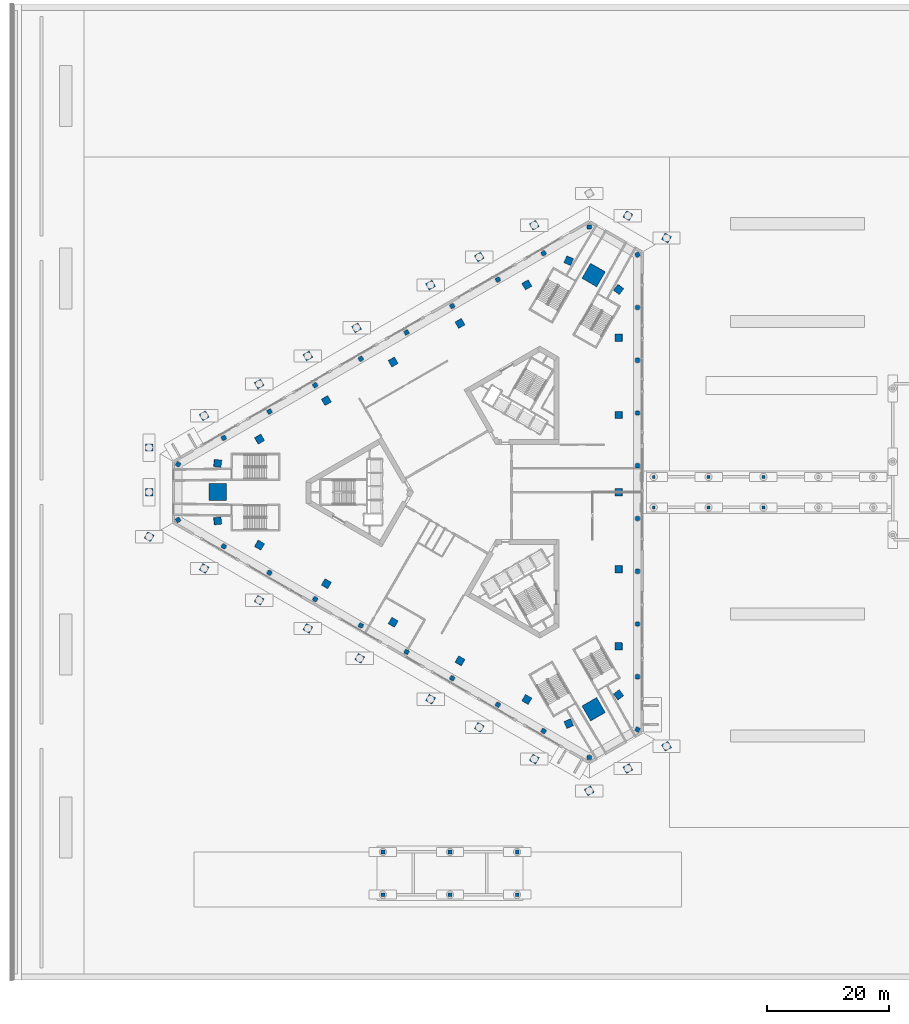
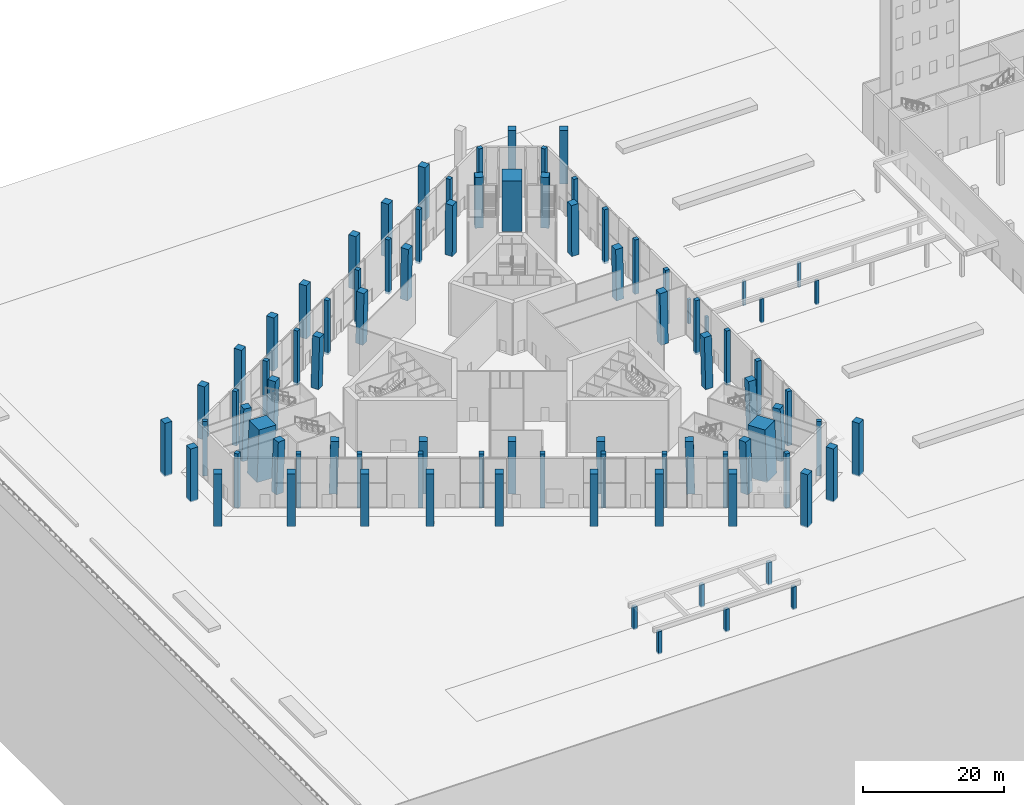
# One storey, part 5 of 63: 88 columns.
"""IFC4 building model written with IfcOpenShell, lengths in metres."""

from ifc_helpers import new_model, si_unit, direction, frame, origin, origin_2d, place, context, subcontext, project, spatial, rectangle, extrude, material, material_profile, profile_set, type_object, element, save


model = new_model("IFC4")

# Units and contexts
model_context = context("Model", 3, precision=1e-05, world=origin(), true_north=direction((0.0, 1.0)))
body_context = subcontext(model_context, "Body", "Model", "MODEL_VIEW")
ifc_project = project(units=[si_unit("LENGTHUNIT", "METRE"), si_unit("AREAUNIT", "SQUARE_METRE"), si_unit("VOLUMEUNIT", "CUBIC_METRE"), si_unit("PLANEANGLEUNIT", "RADIAN"), si_unit("MASSUNIT", "GRAM", prefix="KILO")], contexts=[model_context])

# Site, building, storey
site_placement = place(None, origin())
site = spatial("IfcSite", under=ifc_project, at=site_placement, CompositionType="ELEMENT")
building_placement = place(site_placement, origin())
building = spatial("IfcBuilding", under=site, at=building_placement, Name="Jabali Bay Hotel Tower and Convention Centre", CompositionType="ELEMENT")
storey_placement = place(building_placement, origin())
storey = spatial("IfcBuildingStorey", under=building, at=storey_placement, Name="L00", CompositionType="ELEMENT", Elevation=0.0)

# Columns
ifc_material_1 = material(Name="Concrete C50", Category="concrete")
ifc_material_profile_1 = material_profile(ifc_material_1, rectangle(XDim=1.199951171875, YDim=1.199951171875, at=origin_2d()), Name="RC 1200x1200")
ifc_profile_set_1 = profile_set([ifc_material_profile_1], Name="Concrete C50")
column_type_1 = type_object("IfcColumnType", Name="Arcade Pier 1200x1200", PredefinedType="COLUMN", material=ifc_profile_set_1)
for number, where, z_axis, x_axis, name in (
    (1, (107.5, 121.6728515625, -0.199951171875), (0.0, 0.0, 1.0), (-0.866025403784, 0.5, 0.0), "Arcade pier 1"),
    (2, (22.66015625, 87.309326171875, -0.199951171875), (0.0, 0.0, 1.0), (0.0, -1.0, 0.0), "Arcade pier 3"),
    (3, (22.66015625, 72.690673828125, -0.199951171875), (0.0, 0.0, 1.0), (0.866025403784, -0.5, 0.0), "Arcade pier 4"),
    (4, (94.83984375, 31.017822265625, -0.199951171875), (0.0, 0.0, 1.0), (0.866025403784, 0.5, 0.0), "Arcade pier 5"),
    (5, (107.5, 38.3271484375, -0.199951171875), (0.0, 0.0, 1.0), (0.866025403784, 0.5, 0.0), "Arcade pier 6"),
    (6, (101.169921875, 125.32763671875, -0.199951171875), (0.0, 0.0, 1.0), (-0.866025403784, 0.5, 0.0), "Arcade pier 7"),
    (7, (85.8173828125, 123.773193359375, -0.199951171875), (0.0, 0.0, 1.0), (-0.866025403784, -0.5, 0.0), "Arcade pier 8"),
    (8, (76.794921875, 118.56396484375, -0.199951171875), (0.0, 0.0, 1.0), (-0.866025403784, -0.5, 0.0), "Arcade pier 9"),
    (9, (68.811767578125, 113.954833984375, -0.199951171875), (0.0, 0.0, 1.0), (-0.866025403784, -0.5, 0.0), "Arcade pier 10"),
    (10, (56.671630859375, 106.94580078125, -0.199951171875), (0.0, 0.0, 1.0), (-0.866025403784, -0.5, 0.0), "Arcade pier 11"),
    (11, (48.688232421875, 102.336669921875, -0.199951171875), (0.0, 0.0, 1.0), (-0.866025403784, -0.5, 0.0), "Arcade pier 12"),
    (12, (40.705078125, 97.7275390625, -0.199951171875), (0.0, 0.0, 1.0), (-0.866025403784, -0.5, 0.0), "Arcade pier 13"),
    (13, (31.6826171875, 92.5185546875, -0.199951171875), (0.0, 0.0, 1.0), (-0.866025403784, -0.5, 0.0), "Arcade pier 14"),
    (14, (22.66015625, 80.0, -0.199951171875), (0.0, 0.0, 1.0), (0.0, -1.0, 0.0), "Arcade pier 15"),
    (15, (31.6826171875, 67.4814453125, -0.199951171875), (0.0, 0.0, 1.0), (0.866025403784, -0.5, 0.0), "Arcade pier 16"),
    (16, (40.705078125, 62.2724609375, -0.199951171875), (0.0, 0.0, 1.0), (0.866025403784, -0.5, 0.0), "Arcade pier 17"),
    (17, (48.688232421875, 57.663330078125, -0.199951171875), (0.0, 0.0, 1.0), (0.866025403784, -0.5, 0.0), "Arcade pier 18"),
    (18, (57.191162109375, 52.754150390625, -0.199951171875), (0.0, 0.0, 1.0), (0.866025403784, -0.5, 0.0), "Arcade pier 19"),
    (19, (68.811767578125, 46.045166015625, -0.199951171875), (0.0, 0.0, 1.0), (0.866025403784, -0.5, 0.0), "Arcade pier 20"),
    (20, (76.794921875, 41.43603515625, -0.199951171875), (0.0, 0.0, 1.0), (0.866025403784, -0.5, 0.0), "Arcade pier 21"),
    (21, (85.8173828125, 36.226806640625, -0.199951171875), (0.0, 0.0, 1.0), (0.866025403784, -0.5, 0.0), "Arcade pier 22"),
    (22, (101.169921875, 34.67236328125, -0.199951171875), (0.0, 0.0, 1.0), (0.866025403784, 0.5, 0.0), "Arcade pier 23"),
):
    element("IfcColumn", number, at=place(storey_placement, frame(where, z_axis=z_axis, x_axis=x_axis)), inside=storey, type_object=column_type_1, Name=name, PredefinedType="COLUMN", context=body_context, shape_type="SweptSolid", body=[
        extrude(rectangle(XDim=1.199951171875, YDim=1.199951171875, at=origin_2d()), origin(), (0.0, 0.0, 1.0), 9.199951171875),
    ])
ifc_material_2 = material(Name="Concrete C60", Category="concrete")
ifc_material_profile_2 = material_profile(ifc_material_2, rectangle(XDim=1.199951171875, YDim=1.199951171875, at=origin_2d()), Name="Frame column 1200")
ifc_profile_set_2 = profile_set([ifc_material_profile_2], Name="Concrete C60")
column_type_2 = type_object("IfcColumnType", Name="Frame column 1200", PredefinedType="COLUMN", material=ifc_profile_set_2)
column_1_placement = place(storey_placement, frame((84.599853515625, 114.012451171875, 0.0), z_axis=(-0.008378546441, -0.028145408434, 0.999568724973), x_axis=(0.865970380974, 0.49964031397, 0.021327351715)))
element("IfcColumn", 23, at=column_1_placement, inside=storey, type_object=column_type_2, Name="FC1 F1.1 L00", PredefinedType="COLUMN", context=body_context, shape_type="SweptSolid", body=[
    extrude(rectangle(XDim=1.199951171875, YDim=1.199951171875, at=origin_2d()), origin(), (0.0, 0.0, 1.0), 9.00390625),
])
column_2_placement = place(storey_placement, frame((73.635986328125, 107.682373046875, 0.0), z_axis=(0.000867829423, -0.022807642022, 0.999739495237), x_axis=(0.865819686858, 0.500242559495, 0.010660746597)))
element("IfcColumn", 24, at=column_2_placement, inside=storey, type_object=column_type_2, Name="FC1 F1.2 L00", PredefinedType="COLUMN", context=body_context, shape_type="SweptSolid", body=[
    extrude(rectangle(XDim=1.199951171875, YDim=1.199951171875, at=origin_2d()), origin(), (0.0, 0.0, 1.0), 9.00244140625),
])
column_3_placement = place(storey_placement, frame((62.672119140625, 101.3525390625, 0.0), z_axis=(0.010089088034, -0.017493176833, 0.999796078742), x_axis=(0.866252402262, 0.499606620828, 1.0221e-08)))
element("IfcColumn", 25, at=column_3_placement, inside=storey, type_object=column_type_2, Name="FC1 F1.3 L00", PredefinedType="COLUMN", context=body_context, shape_type="SweptSolid", body=[
    extrude(rectangle(XDim=1.199951171875, YDim=1.199951171875, at=origin_2d()), origin(), (0.0, 0.0, 1.0), 9.001953125),
])
column_4_placement = place(storey_placement, frame((51.708251953125, 95.0224609375, 0.0), z_axis=(0.019336318869, -0.01214960849, 0.999739212888), x_axis=(-0.499995193111, 0.865792743586, 0.020192375266)))
element("IfcColumn", 26, at=column_4_placement, inside=storey, type_object=column_type_2, Name="FC1 F1.4 L00", PredefinedType="COLUMN", context=body_context, shape_type="SweptSolid", body=[
    extrude(rectangle(XDim=1.199951171875, YDim=1.199951171875, at=origin_2d()), origin(), (0.0, 0.0, 1.0), 9.00244140625),
])
for number, where, z_axis, x_axis, name in (
    (27, (40.744384765625, 88.6923828125, 0.0), (0.028552145693, -0.006805877083, 0.999569134684), (-0.500004012737, 0.865788001007, 0.020177327845), "FC1 F1.5 L00"),
    (28, (40.744384765625, 71.3076171875, 0.0), (0.028552145693, 0.006805877083, 0.999569134684), (-0.8655522874, 0.500364684355, 0.021317139292), "FC1 F2.1 L00"),
):
    element("IfcColumn", number, at=place(storey_placement, frame(where, z_axis=z_axis, x_axis=x_axis)), inside=storey, type_object=column_type_2, Name=name, PredefinedType="COLUMN", context=body_context, shape_type="SweptSolid", body=[
        extrude(rectangle(XDim=1.199951171875, YDim=1.199951171875, at=origin_2d()), origin(), (0.0, 0.0, 1.0), 9.00390625),
    ])
column_5_placement = place(storey_placement, frame((51.708251953125, 64.9775390625, 0.0), z_axis=(0.019336318869, 0.01214960849, 0.999739212888), x_axis=(-0.865812285451, 0.500255247016, 0.010666498721)))
element("IfcColumn", 29, at=column_5_placement, inside=storey, type_object=column_type_2, Name="FC1 F2.2 L00", PredefinedType="COLUMN", context=body_context, shape_type="SweptSolid", body=[
    extrude(rectangle(XDim=1.199951171875, YDim=1.199951171875, at=origin_2d()), origin(), (0.0, 0.0, 1.0), 9.00244140625),
])
column_6_placement = place(storey_placement, frame((62.672119140625, 58.6474609375, 0.0), z_axis=(0.010089088034, 0.017493176833, 0.999796078742), x_axis=(-0.499504740596, -0.866075754879, 0.020194081635)))
element("IfcColumn", 30, at=column_6_placement, inside=storey, type_object=column_type_2, Name="FC1 F2.3 L00", PredefinedType="COLUMN", context=body_context, shape_type="SweptSolid", body=[
    extrude(rectangle(XDim=1.199951171875, YDim=1.199951171875, at=origin_2d()), origin(), (0.0, 0.0, 1.0), 9.001953125),
])
column_7_placement = place(storey_placement, frame((73.635986328125, 52.317626953125, 0.0), z_axis=(0.000867829423, 0.022807642022, 0.999739495237), x_axis=(-0.500355390418, -0.865584884997, 0.020181430685)))
element("IfcColumn", 31, at=column_7_placement, inside=storey, type_object=column_type_2, Name="FC1 F2.4 L00", PredefinedType="COLUMN", context=body_context, shape_type="SweptSolid", body=[
    extrude(rectangle(XDim=1.199951171875, YDim=1.199951171875, at=origin_2d()), origin(), (0.0, 0.0, 1.0), 9.00244140625),
])
for number, where, z_axis, x_axis, name in (
    (32, (84.599853515625, 45.987548828125, 0.0), (-0.008378546441, 0.028145408434, 0.999568724973), (-0.500025098605, -0.865775601782, 0.02018683049), "FC1 F2.5 L00"),
    (33, (99.65576171875, 54.679931640625, 0.0), (-0.020200691676, 0.021339522617, 0.999568185183), (-0.000159651046, -0.999772249592, 0.02134065268), "FC1 F0.1 L00"),
):
    element("IfcColumn", number, at=place(storey_placement, frame(where, z_axis=z_axis, x_axis=x_axis)), inside=storey, type_object=column_type_2, Name=name, PredefinedType="COLUMN", context=body_context, shape_type="SweptSolid", body=[
        extrude(rectangle(XDim=1.199951171875, YDim=1.199951171875, at=origin_2d()), origin(), (0.0, 0.0, 1.0), 9.00390625),
    ])
column_8_placement = place(storey_placement, frame((99.65576171875, 67.340087890625, 0.0), z_axis=(-0.020204145068, 0.010658025519, 0.999739065464), x_axis=(0.000461215019, -0.999942972683, 0.010669520222)))
element("IfcColumn", 34, at=column_8_placement, inside=storey, type_object=column_type_2, Name="FC1 F0.2 L00", PredefinedType="COLUMN", context=body_context, shape_type="SweptSolid", body=[
    extrude(rectangle(XDim=1.199951171875, YDim=1.199951171875, at=origin_2d()), origin(), (0.0, 0.0, 1.0), 9.00244140625),
])
column_9_placement = place(storey_placement, frame((99.65576171875, 80.0, 0.0), z_axis=(-0.020205292695, 0.0, 0.999795852235), x_axis=(0.0, -1.0, 0.0)))
element("IfcColumn", 35, at=column_9_placement, inside=storey, type_object=column_type_2, Name="FC1 F0.3 L00", PredefinedType="COLUMN", context=body_context, shape_type="SweptSolid", body=[
    extrude(rectangle(XDim=1.199951171875, YDim=1.199951171875, at=origin_2d()), origin(), (0.0, 0.0, 1.0), 9.001953125),
])
column_10_placement = place(storey_placement, frame((99.65576171875, 92.659912109375, 0.0), z_axis=(-0.020204145068, -0.010658025519, 0.999739065464), x_axis=(0.999795769046, -0.000676663207, 0.020198077238)))
element("IfcColumn", 36, at=column_10_placement, inside=storey, type_object=column_type_2, Name="FC1 F0.4 L00", PredefinedType="COLUMN", context=body_context, shape_type="SweptSolid", body=[
    extrude(rectangle(XDim=1.199951171875, YDim=1.199951171875, at=origin_2d()), origin(), (0.0, 0.0, 1.0), 9.00244140625),
])
column_11_placement = place(storey_placement, frame((99.65576171875, 105.320068359375, 0.0), z_axis=(-0.020200691676, -0.021339522617, 0.999568185183), x_axis=(0.999795932462, -0.000271513838, 0.020199497838)))
element("IfcColumn", 37, at=column_11_placement, inside=storey, type_object=column_type_2, Name="FC1 F0.5 L00", PredefinedType="COLUMN", context=body_context, shape_type="SweptSolid", body=[
    extrude(rectangle(XDim=1.199951171875, YDim=1.199951171875, at=origin_2d()), origin(), (0.0, 0.0, 1.0), 9.00390625),
])
for number, where, z_axis, x_axis, name in (
    (38, (99.65576171875, 46.744873046875, 0.0), (-0.020196790203, 0.029007470493, 0.999375132931), (-0.803081139307, -0.595868733935, 0.00106564932), "FC1 V0 L00"),
    (39, (99.65576171875, 113.255126953125, 0.0), (-0.020196790203, -0.029007470493, 0.999375132931), (0.595527306977, 0.802557797654, 0.035329988259), "FC1 V1 L00"),
    (40, (91.471923828125, 117.97998046875, 0.0), (-0.015018837551, -0.031962471973, 0.999376222903), (0.917464901908, -0.397815308974, 0.00106475983), "FC1 V2 L00"),
    (41, (33.872314453125, 84.724853515625, 0.0), (0.03521561686, -0.00298207687, 0.999375288641), (-0.99281472677, 0.114328566628, 0.035325587902), "FC1 V3 L00"),
    (42, (33.872314453125, 75.275146484375, 0.0), (0.03521561686, 0.00298207687, 0.999375288641), (-0.114362487892, 0.993438516502, 0.001065501165), "FC1 V4 L00"),
    (43, (91.471923828125, 42.02001953125, 0.0), (-0.015018837551, 0.031962471973, 0.999376222903), (0.397533128539, -0.916908599769, 0.035299169714), "FC1 V5 L00"),
):
    element("IfcColumn", number, at=place(storey_placement, frame(where, z_axis=z_axis, x_axis=x_axis)), inside=storey, type_object=column_type_2, Name=name, PredefinedType="COLUMN", context=body_context, shape_type="SweptSolid", body=[
        extrude(rectangle(XDim=1.199951171875, YDim=1.199951171875, at=origin_2d()), origin(), (0.0, 0.0, 1.0), 9.005615234375),
    ])
ifc_material_3 = material(Name="Concrete C70", Category="concrete")
ifc_material_profile_3 = material_profile(ifc_material_3, rectangle(XDim=2.800048828125, YDim=2.800048828125, at=origin_2d()), Name="Mega column 2800")
ifc_profile_set_3 = profile_set([ifc_material_profile_3], Name="Concrete C70")
column_type_3 = type_object("IfcColumnType", Name="Mega column 2800", PredefinedType="COLUMN", material=ifc_profile_set_3)
for number, where, z_axis, x_axis, name in (
    (44, (95.563720703125, 115.61767578125, 0.0), (-0.017594335484, -0.030498655501, 0.999379943451), (0.866198953198, -0.499699283048, 3.8715e-08), "MC1 M1 L00"),
    (45, (33.872314453125, 80.0, 0.0), (0.035215773444, 0.0, 0.999379732284), (0.0, 1.0, 0.0), "MC1 M0 L00"),
    (46, (95.563720703125, 44.38232421875, 0.0), (-0.017594335484, 0.030498655501, 0.999379943451), (0.499388079432, -0.86566264647, 0.035209780296), "MC1 M2 L00"),
):
    element("IfcColumn", number, at=place(storey_placement, frame(where, z_axis=z_axis, x_axis=x_axis)), inside=storey, type_object=column_type_3, Name=name, PredefinedType="COLUMN", context=body_context, shape_type="SweptSolid", body=[
        extrude(rectangle(XDim=2.800048828125, YDim=2.800048828125, at=origin_2d()), origin(), (0.0, 0.0, 1.0), 9.005615234375),
    ])
ifc_material_profile_4 = material_profile(ifc_material_2, rectangle(XDim=0.699951171875, YDim=0.699951171875, at=origin_2d()), Name="Podium column 700")
ifc_profile_set_4 = profile_set([ifc_material_profile_4], Name="Concrete C60")
column_type_4 = type_object("IfcColumnType", Name="Podium column 700", PredefinedType="COLUMN", material=ifc_profile_set_4)
for number, where, z_axis, x_axis, name in (
    (47, (102.75, 41.069580078125, -0.39990234375), (0.0, 0.0, 1.0), (0.49999996977, 0.866025421238, 0.0), "PC P01 L00"),
    (48, (102.75, 49.720703125, -0.39990234375), (0.0, 0.0, 1.0), (1.0, 0.0, 0.0), "PC P02 L00"),
    (49, (102.75, 58.3720703125, -0.39990234375), (0.0, 0.0, 1.0), (1.0, 0.0, 0.0), "PC P03 L00"),
    (50, (102.75, 67.023193359375, -0.39990234375), (0.0, 0.0, 1.0), (1.0, 0.0, 0.0), "PC P04 L00"),
    (51, (102.75, 75.67431640625, -0.39990234375), (0.0, 0.0, 1.0), (1.0, 0.0, 0.0), "PC P05 L00"),
    (52, (102.75, 84.32568359375, -0.39990234375), (0.0, 0.0, 1.0), (1.0, 0.0, 0.0), "PC P06 L00"),
    (53, (102.75, 92.976806640625, -0.39990234375), (0.0, 0.0, 1.0), (1.0, 0.0, 0.0), "PC P07 L00"),
    (54, (102.75, 101.6279296875, -0.39990234375), (0.0, 0.0, 1.0), (1.0, 0.0, 0.0), "PC P08 L00"),
    (55, (102.75, 110.279296875, -0.39990234375), (0.0, 0.0, 1.0), (1.0, 0.0, 0.0), "PC P09 L00"),
    (56, (102.75, 118.930419921875, -0.39990234375), (0.0, 0.0, 1.0), (0.866025421238, 0.49999996977, 0.0), "PC P10 L00"),
    (57, (94.83984375, 123.497314453125, -0.39990234375), (0.0, 0.0, 1.0), (3.4907e-08, 1.0, 0.0), "PC P11 L00"),
    (58, (87.34765625, 119.171875, -0.39990234375), (0.0, 0.0, 1.0), (0.866025403784, 0.5, 0.0), "PC P12 L00"),
    (59, (79.85546875, 114.84619140625, -0.39990234375), (0.0, 0.0, 1.0), (0.866025403784, 0.5, 0.0), "PC P13 L00"),
    (60, (72.36328125, 110.5205078125, -0.39990234375), (0.0, 0.0, 1.0), (0.866025403784, 0.5, 0.0), "PC P14 L00"),
    (61, (64.87109375, 106.195068359375, -0.39990234375), (0.0, 0.0, 1.0), (0.866025403784, 0.5, 0.0), "PC P15 L00"),
    (62, (57.37890625, 101.869384765625, -0.39990234375), (0.0, 0.0, 1.0), (0.866025403784, 0.5, 0.0), "PC P16 L00"),
    (63, (49.88671875, 97.543701171875, -0.39990234375), (0.0, 0.0, 1.0), (0.866025403784, 0.5, 0.0), "PC P17 L00"),
    (64, (42.39453125, 93.21826171875, -0.39990234375), (0.0, 0.0, 1.0), (0.866025403784, 0.5, 0.0), "PC P18 L00"),
    (65, (34.90234375, 88.892578125, -0.39990234375), (0.0, 0.0, 1.0), (0.866025403784, 0.5, 0.0), "PC P19 L00"),
    (66, (27.41015625, 84.56689453125, -0.39990234375), (0.0, 0.0, 1.0), (0.5, 0.866025403784, 0.0), "PC P20 L00"),
    (67, (27.41015625, 75.43310546875, -0.39990234375), (0.0, 0.0, 1.0), (0.866025403784, 0.5, 0.0), "PC P21 L00"),
    (68, (34.90234375, 71.107421875, -0.39990234375), (0.0, 0.0, 1.0), (0.5, 0.866025403784, 0.0), "PC P22 L00"),
    (69, (42.39453125, 66.78173828125, -0.39990234375), (0.0, 0.0, 1.0), (0.5, 0.866025403784, 0.0), "PC P23 L00"),
    (70, (49.88671875, 62.456298828125, -0.39990234375), (0.0, 0.0, 1.0), (0.5, 0.866025403784, 0.0), "PC P24 L00"),
    (71, (57.37890625, 58.130615234375, -0.39990234375), (0.0, 0.0, 1.0), (0.5, 0.866025403784, 0.0), "PC P25 L00"),
    (72, (64.87109375, 53.804931640625, -0.39990234375), (0.0, 0.0, 1.0), (0.5, 0.866025403784, 0.0), "PC P26 L00"),
    (73, (72.36328125, 49.4794921875, -0.39990234375), (0.0, 0.0, 1.0), (0.5, 0.866025403784, 0.0), "PC P27 L00"),
    (74, (79.85546875, 45.15380859375, -0.39990234375), (0.0, 0.0, 1.0), (0.5, 0.866025403784, 0.0), "PC P28 L00"),
    (75, (87.34765625, 40.828125, -0.39990234375), (0.0, 0.0, 1.0), (0.5, 0.866025403784, 0.0), "PC P29 L00"),
    (76, (94.83984375, 36.502685546875, -0.39990234375), (0.0, 0.0, 1.0), (1.0, 3.4907e-08, 0.0), "PC P30 L00"),
):
    element("IfcColumn", number, at=place(storey_placement, frame(where, z_axis=z_axis, x_axis=x_axis)), inside=storey, type_object=column_type_4, Name=name, PredefinedType="COLUMN", context=body_context, shape_type="SweptSolid", body=[
        extrude(rectangle(XDim=0.699951171875, YDim=0.699951171875, at=origin_2d()), origin(), (0.0, 0.0, 1.0), 9.39990234375),
    ])
ifc_material_profile_5 = material_profile(ifc_material_1, rectangle(XDim=0.60009765625, YDim=0.60009765625, at=origin_2d()), Name="RC 600x600")
ifc_profile_set_5 = profile_set([ifc_material_profile_5], Name="Concrete C50")
column_type_5 = type_object("IfcColumnType", Name="SI Canopy Column 600x600", PredefinedType="COLUMN", material=ifc_profile_set_5)
for number, where, z_axis, x_axis, name in (
    (77, (61.0, 14.0, -0.199951171875), (0.0, 0.0, 1.0), (1.0, 0.0, 0.0), "SI drop-off canopy column 1.1"),
    (78, (72.0, 14.0, -0.199951171875), (0.0, 0.0, 1.0), (1.0, 0.0, 0.0), "SI drop-off canopy column 1.2"),
    (79, (83.0, 14.0, -0.199951171875), (0.0, 0.0, 1.0), (1.0, 0.0, 0.0), "SI drop-off canopy column 1.3"),
    (80, (61.0, 21.0, -0.199951171875), (0.0, 0.0, 1.0), (1.0, 0.0, 0.0), "SI drop-off canopy column 2.1"),
    (81, (72.0, 21.0, -0.199951171875), (0.0, 0.0, 1.0), (1.0, 0.0, 0.0), "SI drop-off canopy column 2.2"),
    (82, (83.0, 21.0, -0.199951171875), (0.0, 0.0, 1.0), (1.0, 0.0, 0.0), "SI drop-off canopy column 2.3"),
):
    element("IfcColumn", number, at=place(storey_placement, frame(where, z_axis=z_axis, x_axis=x_axis)), inside=storey, type_object=column_type_5, Name=name, PredefinedType="COLUMN", context=body_context, shape_type="SweptSolid", body=[
        extrude(rectangle(XDim=0.60009765625, YDim=0.60009765625, at=origin_2d()), origin(), (0.0, 0.0, 1.0), 3.89990234375),
    ])
ifc_material_profile_6 = material_profile(ifc_material_1, rectangle(XDim=0.449951171875, YDim=0.449951171875, at=origin_2d()), Name="RC 450x450")
ifc_profile_set_6 = profile_set([ifc_material_profile_6], Name="Concrete C50")
column_type_6 = type_object("IfcColumnType", Name="SI Colonnade Column 450x450", PredefinedType="COLUMN", material=ifc_profile_set_6)
for number, where, z_axis, x_axis, name in (
    (83, (105.39990234375, 77.5, -0.199951171875), (0.0, 0.0, 1.0), (1.0, 0.0, 0.0), "SI colonnade column 1.1"),
    (84, (105.39990234375, 82.5, -0.199951171875), (0.0, 0.0, 1.0), (1.0, 0.0, 0.0), "SI colonnade column 1.2"),
    (85, (114.39990234375, 77.5, -0.199951171875), (0.0, 0.0, 1.0), (1.0, 0.0, 0.0), "SI colonnade column 2.1"),
    (86, (114.39990234375, 82.5, -0.199951171875), (0.0, 0.0, 1.0), (1.0, 0.0, 0.0), "SI colonnade column 2.2"),
    (87, (123.39990234375, 77.5, -0.199951171875), (0.0, 0.0, 1.0), (1.0, 0.0, 0.0), "SI colonnade column 3.1"),
    (88, (123.39990234375, 82.5, -0.199951171875), (0.0, 0.0, 1.0), (1.0, 0.0, 0.0), "SI colonnade column 3.2"),
):
    element("IfcColumn", number, at=place(storey_placement, frame(where, z_axis=z_axis, x_axis=x_axis)), inside=storey, type_object=column_type_6, Name=name, PredefinedType="COLUMN", context=body_context, shape_type="SweptSolid", body=[
        extrude(rectangle(XDim=0.449951171875, YDim=0.449951171875, at=origin_2d()), origin(), (0.0, 0.0, 1.0), 4.199951171875),
    ])

save(model, "model.ifc")
